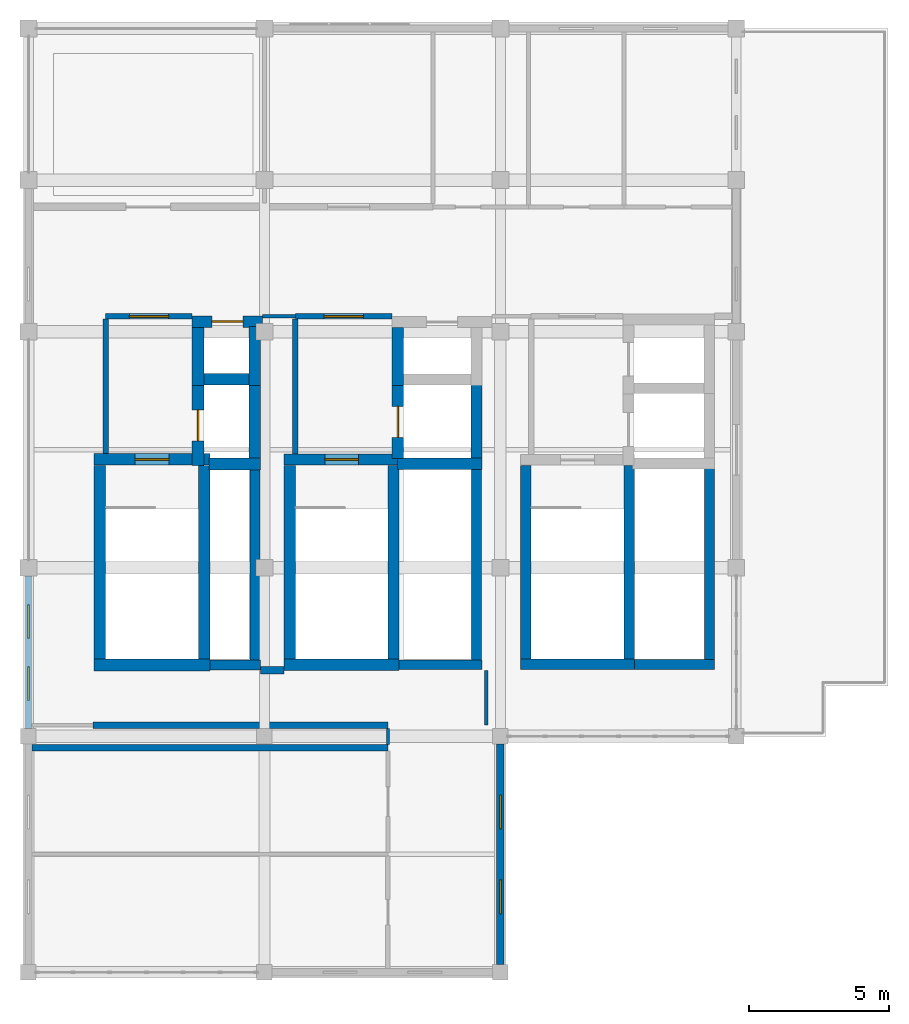
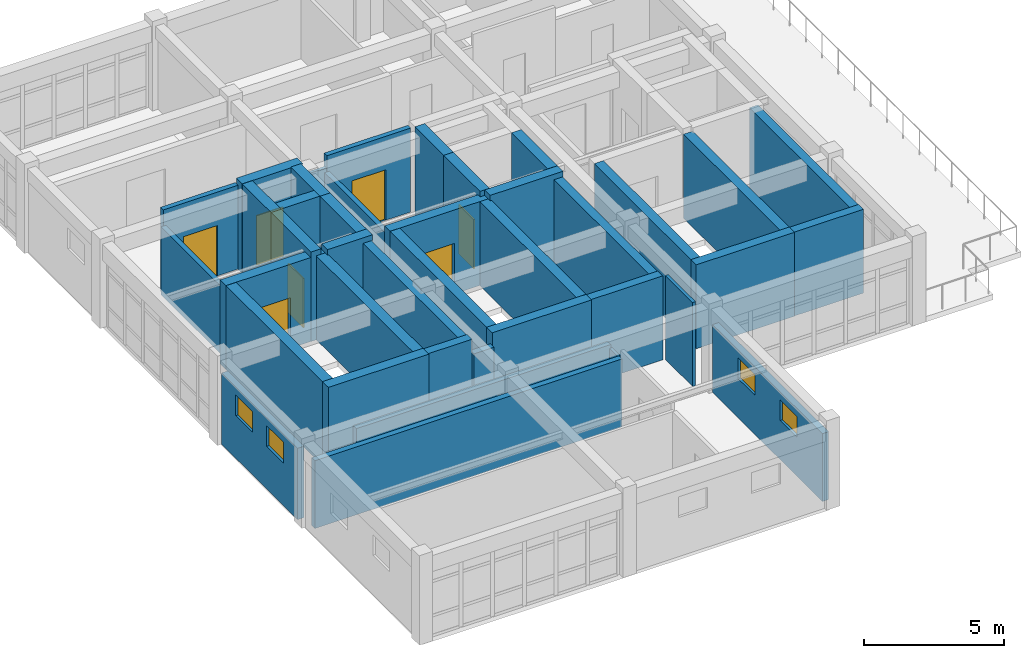
# One storey, part 14 of 17: 40 walls, 7 doors, 4 windows, 11 openings.
"""IFC4 building model written with IfcOpenShell, lengths in metres."""

from ifc_helpers import new_model, si_unit, direction, frame, frame_2d, origin, place, context, subcontext, project, spatial, rectangle, extrude, material, layer, layer_set, type_object, element, fill, save


model = new_model("IFC4")

# Units and contexts
model_context = context("Model", 3, precision=1e-05, world=origin(), true_north=direction((0.0, 1.0)))
body_context = subcontext(model_context, "Body", "Model", "MODEL_VIEW")
ifc_project = project(units=[si_unit("LENGTHUNIT", "METRE"), si_unit("AREAUNIT", "SQUARE_METRE"), si_unit("VOLUMEUNIT", "CUBIC_METRE"), si_unit("PLANEANGLEUNIT", "RADIAN"), si_unit("MASSUNIT", "GRAM", prefix="KILO")], contexts=[model_context])

# Site, building, storey
site_placement = place(None, origin())
site = spatial("IfcSite", under=ifc_project, at=site_placement, CompositionType="ELEMENT")
building_placement = place(site_placement, origin())
building = spatial("IfcBuilding", under=site, at=building_placement, Name="Krzemoval Escarpment Law Courts", CompositionType="ELEMENT")
storey_placement = place(building_placement, frame((0.0, 0.0, 42.0)))
storey = spatial("IfcBuildingStorey", under=building, at=storey_placement, Name="L09", CompositionType="ELEMENT", Elevation=42.0)

# Wall, openings, windows
ifc_material_1 = material(Name="Precast concrete C40/50", Category="concrete")
ifc_layer_1 = layer(ifc_material_1, 0.260009765625)
ifc_layer_set_1 = layer_set([ifc_layer_1], Name="Precast concrete C40/50")
wall_type_1 = type_object("IfcWallType", Name="WL-EXT-260", PredefinedType="SOLIDWALL", material=ifc_layer_set_1)
wall_1_placement = place(storey_placement, frame((126.0, 93.875, 0.0), z_axis=(0.0, 0.0, 1.0), x_axis=(0.0, 1.0, 0.0)))
wall_1 = element("IfcWall", 1, at=wall_1_placement, inside=storey, type_object=wall_type_1, Name="Exterior Wall EW-L09-0480", PredefinedType="SOLIDWALL", context=body_context, shape_type="SweptSolid", body=[
    extrude(rectangle(XDim=5.425048828125, YDim=0.260009765625, at=frame_2d((2.71240234375, 0.0))), origin(), (0.0, 0.0, 1.0), 3.110107421875),
])
opening_1_placement = place(wall_1_placement, frame((1.008056640625, 0.0, 1.860107421875)))
opening_1 = element("IfcOpeningElement", 2, at=opening_1_placement, cuts=wall_1, Name="Opening WN-L09-0564", PredefinedType="OPENING", context=body_context, shape_type="SweptSolid", body=[
    extrude(rectangle(XDim=1.199951171875, YDim=0.89990234375, at=frame_2d((0.60009765625, 0.449951171875))), frame((0.0, 0.145, 0.0), z_axis=(0.0, -1.0, 0.0), x_axis=(1.0, 0.0, 0.0)), (0.0, 0.0, 1.0), 0.29001),
])
opening_2_placement = place(wall_1_placement, frame((3.217041015625, 0.0, 1.860107421875)))
opening_2 = element("IfcOpeningElement", 3, at=opening_2_placement, cuts=wall_1, Name="Opening WN-L09-0565", PredefinedType="OPENING", context=body_context, shape_type="SweptSolid", body=[
    extrude(rectangle(XDim=1.199951171875, YDim=0.89990234375, at=frame_2d((0.60009765625, 0.449951171875))), frame((0.0, 0.145, 0.0), z_axis=(0.0, -1.0, 0.0), x_axis=(1.0, 0.0, 0.0)), (0.0, 0.0, 1.0), 0.29001),
])
ifc_material_2 = material(Name="Thermally Broken Aluminium Frame with Triple Low-E Acoustic Glass", Category="aluminium")
window_type = type_object("IfcWindowType", Name="WN-1200x900", PartitioningType="SINGLE_PANEL", PredefinedType="WINDOW", material=ifc_material_2)
window_1_placement = place(opening_1_placement, origin())
window_1 = element("IfcWindow", 4, at=window_1_placement, inside=storey, type_object=window_type, Name="Facade Window WN-L09-0564", OverallHeight=0.89990234375, OverallWidth=1.199951171875, PartitioningType="SINGLE_PANEL", PredefinedType="WINDOW", context=body_context, shape_type="SweptSolid", body=[
    extrude(rectangle(XDim=1.199951171875, YDim=0.89990234375, at=frame_2d((0.60009765625, 0.449951171875))), frame((0.0, 0.030029296875, 0.0), z_axis=(0.0, -1.0, 0.0), x_axis=(1.0, 0.0, 0.0)), (0.0, 0.0, 1.0), 0.06005859375),
])
fill(opening_1, window_1)
window_2_placement = place(opening_2_placement, origin())
window_2 = element("IfcWindow", 5, at=window_2_placement, inside=storey, type_object=window_type, Name="Facade Window WN-L09-0565", OverallHeight=0.89990234375, OverallWidth=1.199951171875, PartitioningType="SINGLE_PANEL", PredefinedType="WINDOW", context=body_context, shape_type="SweptSolid", body=[
    extrude(rectangle(XDim=1.199951171875, YDim=0.89990234375, at=frame_2d((0.60009765625, 0.449951171875))), frame((0.0, 0.030029296875, 0.0), z_axis=(0.0, -1.0, 0.0), x_axis=(1.0, 0.0, 0.0)), (0.0, 0.0, 1.0), 0.06005859375),
])
fill(opening_2, window_2)

wall_2_placement = place(storey_placement, frame((142.800048828125, 93.324951171875, 0.0), z_axis=(0.0, 0.0, 1.0), x_axis=(0.0, -1.0, 0.0)))
wall_2 = element("IfcWall", 6, at=wall_2_placement, inside=storey, type_object=wall_type_1, Name="Exterior Wall EW-L09-0487", PredefinedType="SOLIDWALL", context=body_context, shape_type="SweptSolid", body=[
    extrude(rectangle(XDim=7.849853515625, YDim=0.260009765625, at=frame_2d((3.9248046875, 0.0))), origin(), (0.0, 0.0, 1.0), 2.9599609375),
])
opening_3_placement = place(wall_2_placement, frame((1.81689453125, 0.0, 1.7099609375)))
opening_3 = element("IfcOpeningElement", 7, at=opening_3_placement, cuts=wall_2, Name="Opening WN-L09-0572", PredefinedType="OPENING", context=body_context, shape_type="SweptSolid", body=[
    extrude(rectangle(XDim=1.199951171875, YDim=0.89990234375, at=frame_2d((0.60009765625, 0.449951171875))), frame((0.0, 0.145, 0.0), z_axis=(0.0, -1.0, 0.0), x_axis=(1.0, 0.0, 0.0)), (0.0, 0.0, 1.0), 0.29001),
])
opening_4_placement = place(wall_2_placement, frame((4.8330078125, 0.0, 1.7099609375)))
opening_4 = element("IfcOpeningElement", 8, at=opening_4_placement, cuts=wall_2, Name="Opening WN-L09-0573", PredefinedType="OPENING", context=body_context, shape_type="SweptSolid", body=[
    extrude(rectangle(XDim=1.199951171875, YDim=0.89990234375, at=frame_2d((0.60009765625, 0.449951171875))), frame((0.0, 0.145, 0.0), z_axis=(0.0, -1.0, 0.0), x_axis=(1.0, 0.0, 0.0)), (0.0, 0.0, 1.0), 0.29001),
])
window_3_placement = place(opening_3_placement, origin())
window_3 = element("IfcWindow", 9, at=window_3_placement, inside=storey, type_object=window_type, Name="Facade Window WN-L09-0572", OverallHeight=0.89990234375, OverallWidth=1.199951171875, PartitioningType="SINGLE_PANEL", PredefinedType="WINDOW", context=body_context, shape_type="SweptSolid", body=[
    extrude(rectangle(XDim=1.199951171875, YDim=0.89990234375, at=frame_2d((0.60009765625, 0.449951171875))), frame((0.0, 0.030029296875, 0.0), z_axis=(0.0, -1.0, 0.0), x_axis=(1.0, 0.0, 0.0)), (0.0, 0.0, 1.0), 0.06005859375),
])
fill(opening_3, window_3)
window_4_placement = place(opening_4_placement, origin())
window_4 = element("IfcWindow", 10, at=window_4_placement, inside=storey, type_object=window_type, Name="Facade Window WN-L09-0573", OverallHeight=0.89990234375, OverallWidth=1.199951171875, PartitioningType="SINGLE_PANEL", PredefinedType="WINDOW", context=body_context, shape_type="SweptSolid", body=[
    extrude(rectangle(XDim=1.199951171875, YDim=0.89990234375, at=frame_2d((0.60009765625, 0.449951171875))), frame((0.0, 0.030029296875, 0.0), z_axis=(0.0, -1.0, 0.0), x_axis=(1.0, 0.0, 0.0)), (0.0, 0.0, 1.0), 0.06005859375),
])
fill(opening_4, window_4)

# Walls
ifc_material_3 = material(Name="Light Internal Subdivision Partition", Category="gypsum")
ifc_layer_2 = layer(ifc_material_3, 0.114990234375)
ifc_layer_set_2 = layer_set([ifc_layer_2], Name="Light Internal Subdivision Partition")
wall_type_2 = type_object("IfcWallType", Name="WL-PRT-115", PredefinedType="PARTITIONING", material=ifc_layer_set_2)
wall_3_placement = place(storey_placement, frame((138.800048828125, 93.31689453125, 0.0), z_axis=(0.0, 0.0, 1.0), x_axis=(0.0, 1.0, 0.0)))
element("IfcWall", 11, at=wall_3_placement, inside=storey, type_object=wall_type_2, Name="Interior Partition PW-L09-0762", PredefinedType="PARTITIONING", context=body_context, shape_type="SweptSolid", body=[
    extrude(rectangle(XDim=0.566162109375, YDim=0.114990234375, at=frame_2d((0.283203125, 0.0))), origin(), (0.0, 0.0, 1.0), 2.9599609375),
])
ifc_material_4 = material(Name="Standard Metal-Stud Gypsum Partition", Category="gypsum")
ifc_layer_3 = layer(ifc_material_4, 0.125)
ifc_layer_set_3 = layer_set([ifc_layer_3], Name="Standard Metal-Stud Gypsum Partition")
wall_type_3 = type_object("IfcWallType", Name="WL-PRT-125", PredefinedType="PARTITIONING", material=ifc_layer_set_3)
wall_4_placement = place(storey_placement, frame((134.3349609375, 108.550048828125, 0.0), z_axis=(0.0, 0.0, 1.0), x_axis=(1.0, 0.0, 0.0)))
element("IfcWall", 12, at=wall_4_placement, inside=storey, type_object=wall_type_3, Name="Interior Partition PW-L09-0749", PredefinedType="PARTITIONING", context=body_context, shape_type="SweptSolid", body=[
    extrude(rectangle(XDim=1.1650390625, YDim=0.125, at=frame_2d((0.58251953125, 0.0))), origin(), (0.0, 0.0, 1.0), 3.110107421875),
])
wall_5_placement = place(storey_placement, frame((142.300048828125, 94.0, 0.0), z_axis=(0.0, 0.0, 1.0), x_axis=(0.0, 1.0, 0.0)))
element("IfcWall", 13, at=wall_5_placement, inside=storey, type_object=wall_type_3, Name="Interior Partition PW-L09-0764", PredefinedType="PARTITIONING", context=body_context, shape_type="SweptSolid", body=[
    extrude(rectangle(XDim=1.949951171875, YDim=0.125, at=frame_2d((0.97509765625, 0.0))), origin(), (0.0, 0.0, 1.0), 3.659912109375),
])

# Wall, opening, door
ifc_material_5 = material(Name="Fire-Rated Corridor Partition Wall", Category="gypsum")
ifc_layer_4 = layer(ifc_material_5, 0.199951171875)
ifc_layer_set_4 = layer_set([ifc_layer_4], Name="Fire-Rated Corridor Partition Wall")
wall_type_4 = type_object("IfcWallType", Name="WL-PRT-200", PredefinedType="PARTITIONING", material=ifc_layer_set_4)
wall_6_placement = place(storey_placement, frame((128.75, 108.550048828125, 0.0), z_axis=(0.0, 0.0, 1.0), x_axis=(1.0, 0.0, 0.0)))
wall_6 = element("IfcWall", 14, at=wall_6_placement, inside=storey, type_object=wall_type_4, Name="Interior Partition PW-L09-0746", PredefinedType="PARTITIONING", context=body_context, shape_type="SweptSolid", body=[
    extrude(rectangle(XDim=3.080078125, YDim=0.199951171875, at=frame_2d((1.5400390625, 0.0))), origin(), (0.0, 0.0, 1.0), 3.659912109375),
])
opening_5_placement = place(wall_6_placement, frame((0.840087890625, 0.0, 0.0)))
opening_5 = element("IfcOpeningElement", 15, at=opening_5_placement, cuts=wall_6, Name="Opening D-L09-0261", PredefinedType="OPENING", context=body_context, shape_type="SweptSolid", body=[
    extrude(rectangle(XDim=1.39990234375, YDim=2.199951171875, at=frame_2d((0.699951171875, 1.10009765625))), frame((0.0, 0.11498, 0.0), z_axis=(0.0, -1.0, 0.0), x_axis=(1.0, 0.0, 0.0)), (0.0, 0.0, 1.0), 0.22995),
])
ifc_material_6 = material(Name="Galvanised Steel S355", Category="steel")
door_type_1 = type_object("IfcDoorType", Name="DR-FFL-1400x2200", OperationType="SINGLE_SWING_LEFT", PredefinedType="DOOR", material=ifc_material_6)
door_1_placement = place(opening_5_placement, origin())
door_1 = element("IfcDoor", 16, at=door_1_placement, inside=storey, type_object=door_type_1, Name="Room Door D-L09-0261", OperationType="SINGLE_SWING_LEFT", OverallHeight=2.199951171875, OverallWidth=1.39990234375, PredefinedType="DOOR", context=body_context, shape_type="SweptSolid", body=[
    extrude(rectangle(XDim=1.39990234375, YDim=2.199951171875, at=frame_2d((0.699951171875, 1.10009765625))), frame((0.0, 0.02490234375, 0.0), z_axis=(0.0, -1.0, 0.0), x_axis=(1.0, 0.0, 0.0)), (0.0, 0.0, 1.0), 0.050048828125),
])
fill(opening_5, door_1)

wall_7_placement = place(storey_placement, frame((135.5, 108.550048828125, 0.0), z_axis=(0.0, 0.0, 1.0), x_axis=(1.0, 0.0, 0.0)))
wall_7 = element("IfcWall", 17, at=wall_7_placement, inside=storey, type_object=wall_type_4, Name="Interior Partition PW-L09-0747", PredefinedType="PARTITIONING", context=body_context, shape_type="SweptSolid", body=[
    extrude(rectangle(XDim=3.449951171875, YDim=0.199951171875, at=frame_2d((1.72509765625, 0.0))), origin(), (0.0, 0.0, 1.0), 3.659912109375),
])
opening_6_placement = place(wall_7_placement, frame((1.02490234375, 0.0, 0.0)))
opening_6 = element("IfcOpeningElement", 18, at=opening_6_placement, cuts=wall_7, Name="Opening D-L09-0262", PredefinedType="OPENING", context=body_context, shape_type="SweptSolid", body=[
    extrude(rectangle(XDim=1.39990234375, YDim=2.199951171875, at=frame_2d((0.699951171875, 1.10009765625))), frame((0.0, 0.11498, 0.0), z_axis=(0.0, -1.0, 0.0), x_axis=(1.0, 0.0, 0.0)), (0.0, 0.0, 1.0), 0.22995),
])
door_2_placement = place(opening_6_placement, origin())
door_2 = element("IfcDoor", 19, at=door_2_placement, inside=storey, type_object=door_type_1, Name="Room Door D-L09-0262", OperationType="SINGLE_SWING_LEFT", OverallHeight=2.199951171875, OverallWidth=1.39990234375, PredefinedType="DOOR", context=body_context, shape_type="SweptSolid", body=[
    extrude(rectangle(XDim=1.39990234375, YDim=2.199951171875, at=frame_2d((0.699951171875, 1.10009765625))), frame((0.0, 0.02490234375, 0.0), z_axis=(0.0, -1.0, 0.0), x_axis=(1.0, 0.0, 0.0)), (0.0, 0.0, 1.0), 0.050048828125),
])
fill(opening_6, door_2)

# Walls
wall_8_placement = place(storey_placement, frame((128.75, 103.672119140625, 0.0), z_axis=(0.0, 0.0, 1.0), x_axis=(0.0, 1.0, 0.0)))
element("IfcWall", 20, at=wall_8_placement, inside=storey, type_object=wall_type_4, Name="Interior Partition PW-L09-0757", PredefinedType="PARTITIONING", context=body_context, shape_type="SweptSolid", body=[
    extrude(rectangle(XDim=4.77587890625, YDim=0.199951171875, at=frame_2d((2.387939453125, 0.0))), origin(), (0.0, 0.0, 1.0), 2.9599609375),
])
wall_9_placement = place(storey_placement, frame((135.5, 103.652099609375, 0.0), z_axis=(0.0, 0.0, 1.0), x_axis=(0.0, 1.0, 0.0)))
element("IfcWall", 21, at=wall_9_placement, inside=storey, type_object=wall_type_4, Name="Interior Partition PW-L09-0759", PredefinedType="PARTITIONING", context=body_context, shape_type="SweptSolid", body=[
    extrude(rectangle(XDim=4.7958984375, YDim=0.199951171875, at=frame_2d((2.39794921875, 0.0))), origin(), (0.0, 0.0, 1.0), 2.9599609375),
])
ifc_material_7 = material(Name="Acoustic Calcium-Silicate Block Wall", Category="masonry")
ifc_layer_5 = layer(ifc_material_7, 0.22998046875)
ifc_layer_set_5 = layer_set([ifc_layer_5], Name="Acoustic Calcium-Silicate Block Wall")
wall_type_5 = type_object("IfcWallType", Name="WL-PRT-230", PredefinedType="SOLIDWALL", material=ifc_layer_set_5)
wall_10_placement = place(storey_placement, frame((126.132080078125, 93.199951171875, 0.0), z_axis=(0.0, 0.0, 1.0), x_axis=(1.0, 0.0, 0.0)))
element("IfcWall", 22, at=wall_10_placement, inside=storey, type_object=wall_type_5, Name="Interior Partition PW-L09-0742", PredefinedType="SOLIDWALL", context=body_context, shape_type="SweptSolid", body=[
    extrude(rectangle(XDim=12.66796875, YDim=0.22998046875, at=frame_2d((6.333984375, 0.0))), origin(), (0.0, 0.0, 1.0), 2.9599609375),
])
wall_11_placement = place(storey_placement, frame((128.300048828125, 94.0, 0.0), z_axis=(0.0, 0.0, 1.0), x_axis=(1.0, 0.0, 0.0)))
element("IfcWall", 23, at=wall_11_placement, inside=storey, type_object=wall_type_5, Name="Interior Partition PW-L09-0744", PredefinedType="SOLIDWALL", context=body_context, shape_type="SweptSolid", body=[
    extrude(rectangle(XDim=10.5, YDim=0.22998046875, at=frame_2d((5.25, 0.0))), origin(), (0.0, 0.0, 1.0), 3.110107421875),
])
ifc_material_8 = material(Name="Acoustic Double-Stud Gypsum and Mineral Wool Wall", Category="gypsum")
ifc_layer_6 = layer(ifc_material_8, 0.260009765625)
ifc_layer_set_6 = layer_set([ifc_layer_6], Name="Acoustic Double-Stud Gypsum and Mineral Wool Wall")
wall_type_6 = type_object("IfcWallType", Name="WL-PRT-260", PredefinedType="PARTITIONING", material=ifc_layer_set_6)
wall_12_placement = place(storey_placement, frame((134.27001953125, 95.949951171875, 0.0), z_axis=(0.0, 0.0, 1.0), x_axis=(1.0, 0.0, 0.0)))
element("IfcWall", 24, at=wall_12_placement, inside=storey, type_object=wall_type_6, Name="Interior Partition PW-L09-0745", PredefinedType="PARTITIONING", context=body_context, shape_type="SweptSolid", body=[
    extrude(rectangle(XDim=0.830078125, YDim=0.260009765625, at=frame_2d((0.4150390625, 0.0))), origin(), (0.0, 0.0, 1.0), 3.110107421875),
])
ifc_material_9 = material(Name="Concrete C40/50", Category="concrete")
ifc_layer_7 = layer(ifc_material_9, 0.35009765625)
ifc_layer_set_7 = layer_set([ifc_layer_7], Name="Concrete C40/50")
wall_type_7 = type_object("IfcWallType", Name="WL-SHW-350", PredefinedType="SHEAR", material=ifc_layer_set_7)
wall_13_placement = place(storey_placement, frame((132.469970703125, 96.139892578125, 0.0), z_axis=(0.0, 0.0, 1.0), x_axis=(1.0, 0.0, 0.0)))
element("IfcWall", 25, at=wall_13_placement, inside=storey, type_object=wall_type_7, Name="Riser Shaft Wall SW-L09-0142", PredefinedType="SHEAR", context=body_context, shape_type="SweptSolid", body=[
    extrude(rectangle(XDim=1.800048828125, YDim=0.35009765625, at=frame_2d((0.89990234375, 0.0))), origin(), (0.0, 0.0, 1.0), 3.659912109375),
])
wall_14_placement = place(storey_placement, frame((134.06005859375, 96.31005859375, 0.0), z_axis=(0.0, 0.0, 1.0), x_axis=(0.0, 1.0, 0.0)))
element("IfcWall", 26, at=wall_14_placement, inside=storey, type_object=wall_type_7, Name="Riser Shaft Wall SW-L09-0143", PredefinedType="SHEAR", context=body_context, shape_type="SweptSolid", body=[
    extrude(rectangle(XDim=7.197021484375, YDim=0.35009765625, at=frame_2d((3.5986328125, 0.0))), origin(), (0.0, 0.0, 1.0), 3.659912109375),
])
wall_15_placement = place(storey_placement, frame((139.199951171875, 96.14990234375, 0.0), z_axis=(0.0, 0.0, 1.0), x_axis=(1.0, 0.0, 0.0)))
element("IfcWall", 27, at=wall_15_placement, inside=storey, type_object=wall_type_7, Name="Riser Shaft Wall SW-L09-0292", PredefinedType="SHEAR", context=body_context, shape_type="SweptSolid", body=[
    extrude(rectangle(XDim=2.949951171875, YDim=0.35009765625, at=frame_2d((1.47509765625, 0.0))), origin(), (0.0, 0.0, 1.0), 3.659912109375),
])
wall_16_placement = place(storey_placement, frame((141.949951171875, 96.320068359375, 0.0), z_axis=(0.0, 0.0, 1.0), x_axis=(0.0, 1.0, 0.0)))
element("IfcWall", 28, at=wall_16_placement, inside=storey, type_object=wall_type_7, Name="Riser Shaft Wall SW-L09-0293", PredefinedType="SHEAR", context=body_context, shape_type="SweptSolid", body=[
    extrude(rectangle(XDim=7.18701171875, YDim=0.35009765625, at=frame_2d((3.593505859375, 0.0))), origin(), (0.0, 0.0, 1.0), 3.659912109375),
])
wall_17_placement = place(storey_placement, frame((147.580078125, 96.159912109375, 0.0), z_axis=(0.0, 0.0, 1.0), x_axis=(1.0, 0.0, 0.0)))
element("IfcWall", 29, at=wall_17_placement, inside=storey, type_object=wall_type_7, Name="Riser Shaft Wall SW-L09-0442", PredefinedType="SHEAR", context=body_context, shape_type="SweptSolid", body=[
    extrude(rectangle(XDim=2.849853515625, YDim=0.35009765625, at=frame_2d((1.4248046875, 0.0))), origin(), (0.0, 0.0, 1.0), 3.659912109375),
])
wall_18_placement = place(storey_placement, frame((150.239990234375, 96.330078125, 0.0), z_axis=(0.0, 0.0, 1.0), x_axis=(0.0, 1.0, 0.0)))
element("IfcWall", 30, at=wall_18_placement, inside=storey, type_object=wall_type_7, Name="Riser Shaft Wall SW-L09-0443", PredefinedType="SHEAR", context=body_context, shape_type="SweptSolid", body=[
    extrude(rectangle(XDim=7.177001953125, YDim=0.35009765625, at=frame_2d((3.58837890625, 0.0))), origin(), (0.0, 0.0, 1.0), 3.659912109375),
])
ifc_material_10 = material(Name="Concrete C40/50", Category="concrete")
ifc_layer_8 = layer(ifc_material_10, 0.3798828125)
ifc_layer_set_8 = layer_set([ifc_layer_8], Name="Concrete C40/50")
wall_type_8 = type_object("IfcWallType", Name="WL-SHW-380", PredefinedType="SHEAR", material=ifc_layer_set_8)
wall_19_placement = place(storey_placement, frame((143.52001953125, 96.159912109375, 0.0), z_axis=(0.0, 0.0, 1.0), x_axis=(1.0, 0.0, 0.0)))
element("IfcWall", 31, at=wall_19_placement, inside=storey, type_object=wall_type_8, Name="Core Stair Shear Wall SW-L09-0432", PredefinedType="SHEAR", context=body_context, shape_type="SweptSolid", body=[
    extrude(rectangle(XDim=4.06005859375, YDim=0.3798828125, at=frame_2d((2.030029296875, 0.0))), origin(), (0.0, 0.0, 1.0), 3.659912109375),
])
for number, where, z_axis, x_axis, name in (
    (32, (143.7099609375, 96.35205078125, 0.0), (0.0, 0.0, 1.0), (0.0, 1.0, 0.0), "Core Stair Shear Wall SW-L09-0433"),
    (33, (147.389892578125, 96.35205078125, 0.0), (0.0, 0.0, 1.0), (0.0, 1.0, 0.0), "Core Stair Shear Wall SW-L09-0434"),
):
    element("IfcWall", number, at=place(storey_placement, frame(where, z_axis=z_axis, x_axis=x_axis)), inside=storey, type_object=wall_type_8, Name=name, PredefinedType="SHEAR", context=body_context, shape_type="SweptSolid", body=[
        extrude(rectangle(XDim=6.89599609375, YDim=0.3798828125, at=frame_2d((3.447998046875, 0.0))), origin(), (0.0, 0.0, 1.0), 3.659912109375),
    ])

# Wall, opening, door
ifc_material_11 = material(Name="Concrete C40/50", Category="concrete")
ifc_layer_9 = layer(ifc_material_11, 0.39990234375)
ifc_layer_set_9 = layer_set([ifc_layer_9], Name="Concrete C40/50")
wall_type_9 = type_object("IfcWallType", Name="WL-SHW-400", PredefinedType="SHEAR", material=ifc_layer_set_9)
wall_20_placement = place(storey_placement, frame((135.10009765625, 103.449951171875, 0.0), z_axis=(0.0, 0.0, 1.0), x_axis=(1.0, 0.0, 0.0)))
wall_20 = element("IfcWall", 34, at=wall_20_placement, inside=storey, type_object=wall_type_9, Name="Core Stair Shear Wall SW-L09-0281", PredefinedType="SHEAR", context=body_context, shape_type="SweptSolid", body=[
    extrude(rectangle(XDim=4.099853515625, YDim=0.39990234375, at=frame_2d((2.0498046875, 0.0))), origin(), (0.0, 0.0, 1.0), 3.659912109375),
])
opening_7_placement = place(wall_20_placement, frame((1.449951171875, 0.0, 0.0)))
opening_7 = element("IfcOpeningElement", 35, at=opening_7_placement, cuts=wall_20, Name="Opening SD-ST2-L09", PredefinedType="OPENING", context=body_context, shape_type="SweptSolid", body=[
    extrude(rectangle(XDim=1.199951171875, YDim=2.199951171875, at=frame_2d((0.60009765625, 1.10009765625))), frame((0.0, 0.21495, 0.0), z_axis=(0.0, -1.0, 0.0), x_axis=(1.0, 0.0, 0.0)), (0.0, 0.0, 1.0), 0.4299),
])
ifc_material_12 = material(Name="Galvanised Steel S355", Category="steel")
door_type_2 = type_object("IfcDoorType", Name="DR-STR-1200x2200", OperationType="SINGLE_SWING_LEFT", PredefinedType="DOOR", material=ifc_material_12)
door_3_placement = place(opening_7_placement, origin())
door_3 = element("IfcDoor", 36, at=door_3_placement, inside=storey, type_object=door_type_2, Name="Stair Exit Door SD-ST2-L09", OperationType="SINGLE_SWING_LEFT", OverallHeight=2.199951171875, OverallWidth=1.199951171875, PredefinedType="DOOR", context=body_context, shape_type="SweptSolid", body=[
    extrude(rectangle(XDim=1.199951171875, YDim=2.199951171875, at=frame_2d((0.60009765625, 1.10009765625))), frame((0.0, 0.02490234375, 0.0), z_axis=(0.0, -1.0, 0.0), x_axis=(1.0, 0.0, 0.0)), (0.0, 0.0, 1.0), 0.050048828125),
])
fill(opening_7, door_3)

# Walls
wall_21_placement = place(storey_placement, frame((135.10009765625, 96.14990234375, 0.0), z_axis=(0.0, 0.0, 1.0), x_axis=(1.0, 0.0, 0.0)))
element("IfcWall", 37, at=wall_21_placement, inside=storey, type_object=wall_type_9, Name="Core Stair Shear Wall SW-L09-0282", PredefinedType="SHEAR", context=body_context, shape_type="SweptSolid", body=[
    extrude(rectangle(XDim=4.099853515625, YDim=0.39990234375, at=frame_2d((2.0498046875, 0.0))), origin(), (0.0, 0.0, 1.0), 3.659912109375),
])
for number, where, z_axis, x_axis, name in (
    (38, (135.300048828125, 96.35205078125, 0.0), (0.0, 0.0, 1.0), (0.0, 1.0, 0.0), "Core Stair Shear Wall SW-L09-0283"),
    (39, (139.0, 96.35205078125, 0.0), (0.0, 0.0, 1.0), (0.0, 1.0, 0.0), "Core Stair Shear Wall SW-L09-0284"),
):
    element("IfcWall", number, at=place(storey_placement, frame(where, z_axis=z_axis, x_axis=x_axis)), inside=storey, type_object=wall_type_9, Name=name, PredefinedType="SHEAR", context=body_context, shape_type="SweptSolid", body=[
        extrude(rectangle(XDim=6.89599609375, YDim=0.39990234375, at=frame_2d((3.447998046875, 0.0))), origin(), (0.0, 0.0, 1.0), 3.659912109375),
    ])
wall_22_placement = place(storey_placement, frame((139.14306640625, 103.300048828125, 0.0), z_axis=(0.0, 0.0, 1.0), x_axis=(1.0, 0.0, 0.0)))
element("IfcWall", 40, at=wall_22_placement, inside=storey, type_object=wall_type_9, Name="Lift Shaft Shear Wall SW-L09-0285", PredefinedType="SHEAR", context=body_context, shape_type="SweptSolid", body=[
    extrude(rectangle(XDim=3.0068359375, YDim=0.39990234375, at=frame_2d((1.50341796875, 0.0))), origin(), (0.0, 0.0, 1.0), 3.89990234375),
])

# Wall, opening, door
wall_23_placement = place(storey_placement, frame((139.14990234375, 103.4951171875, 0.0), z_axis=(0.0, 0.0, 1.0), x_axis=(0.0, 1.0, 0.0)))
wall_23 = element("IfcWall", 41, at=wall_23_placement, inside=storey, type_object=wall_type_9, Name="Lift Shaft Shear Wall SW-L09-0287", PredefinedType="SHEAR", context=body_context, shape_type="SweptSolid", body=[
    extrude(rectangle(XDim=2.602783203125, YDim=0.39990234375, at=frame_2d((1.30126953125, 0.0))), origin(), (0.0, 0.0, 1.0), 3.89990234375),
])
opening_8_placement = place(wall_23_placement, frame((0.7509765625, 0.0, 0.0)))
opening_8 = element("IfcOpeningElement", 42, at=opening_8_placement, cuts=wall_23, Name="Opening LD-FL2-L09", PredefinedType="OPENING", context=body_context, shape_type="SweptSolid", body=[
    extrude(rectangle(XDim=1.10009765625, YDim=2.14990234375, at=frame_2d((0.550048828125, 1.074951171875))), frame((0.0, 0.21495, 0.0), z_axis=(0.0, -1.0, 0.0), x_axis=(1.0, 0.0, 0.0)), (0.0, 0.0, 1.0), 0.4299),
])
ifc_material_13 = material(Name="Stainless Steel Grade 304", Category="steel")
door_type_3 = type_object("IfcDoorType", Name="DR-LFT-1100x2150", OperationType="SINGLE_SWING_LEFT", PredefinedType="DOOR", material=ifc_material_13)
door_4_placement = place(opening_8_placement, origin())
door_4 = element("IfcDoor", 43, at=door_4_placement, inside=storey, type_object=door_type_3, Name="Lift Landing Door LD-FL2-L09", OperationType="DOUBLE_DOOR_SLIDING", OverallHeight=2.14990234375, OverallWidth=1.10009765625, PredefinedType="DOOR", context=body_context, shape_type="SweptSolid", body=[
    extrude(rectangle(XDim=1.10009765625, YDim=2.14990234375, at=frame_2d((0.550048828125, 1.074951171875))), frame((0.0, 0.02490234375, 0.0), z_axis=(0.0, -1.0, 0.0), x_axis=(1.0, 0.0, 0.0)), (0.0, 0.0, 1.0), 0.050048828125),
])
fill(opening_8, door_4)

# Walls
wall_24_placement = place(storey_placement, frame((141.949951171875, 103.501953125, 0.0), z_axis=(0.0, 0.0, 1.0), x_axis=(0.0, 1.0, 0.0)))
element("IfcWall", 44, at=wall_24_placement, inside=storey, type_object=wall_type_9, Name="Lift Shaft Shear Wall SW-L09-0288", PredefinedType="SHEAR", context=body_context, shape_type="SweptSolid", body=[
    extrude(rectangle(XDim=2.595947265625, YDim=0.39990234375, at=frame_2d((1.2978515625, 0.0))), origin(), (0.0, 0.0, 1.0), 3.89990234375),
])
wall_25_placement = place(storey_placement, frame((139.14990234375, 106.093017578125, 0.0), z_axis=(0.0, 0.0, 1.0), x_axis=(0.0, 1.0, 0.0)))
element("IfcWall", 45, at=wall_25_placement, inside=storey, type_object=wall_type_9, Name="Lift Shaft Shear Wall SW-L09-0290", PredefinedType="SHEAR", context=body_context, shape_type="SweptSolid", body=[
    extrude(rectangle(XDim=2.054931640625, YDim=0.39990234375, at=frame_2d((1.02734375, 0.0))), origin(), (0.0, 0.0, 1.0), 3.89990234375),
])

# Wall, opening, door
ifc_material_14 = material(Name="Concrete C40/50", Category="concrete")
ifc_layer_10 = layer(ifc_material_14, 0.419921875)
ifc_layer_set_10 = layer_set([ifc_layer_10], Name="Concrete C40/50")
wall_type_10 = type_object("IfcWallType", Name="WL-SHW-420", PredefinedType="SHEAR", material=ifc_layer_set_10)
wall_26_placement = place(storey_placement, frame((128.330078125, 103.4599609375, 0.0), z_axis=(0.0, 0.0, 1.0), x_axis=(1.0, 0.0, 0.0)))
wall_26 = element("IfcWall", 46, at=wall_26_placement, inside=storey, type_object=wall_type_10, Name="Core Stair Shear Wall SW-L09-0131", PredefinedType="SHEAR", context=body_context, shape_type="SweptSolid", body=[
    extrude(rectangle(XDim=4.139892578125, YDim=0.419921875, at=frame_2d((2.06982421875, 0.0))), origin(), (0.0, 0.0, 1.0), 3.659912109375),
])
opening_9_placement = place(wall_26_placement, frame((1.469970703125, 0.0, 0.0)))
opening_9 = element("IfcOpeningElement", 47, at=opening_9_placement, cuts=wall_26, Name="Opening SD-ST1-L09", PredefinedType="OPENING", context=body_context, shape_type="SweptSolid", body=[
    extrude(rectangle(XDim=1.199951171875, YDim=2.199951171875, at=frame_2d((0.60009765625, 1.10009765625))), frame((0.0, 0.22496, 0.0), z_axis=(0.0, -1.0, 0.0), x_axis=(1.0, 0.0, 0.0)), (0.0, 0.0, 1.0), 0.44992),
])
door_5_placement = place(opening_9_placement, origin())
door_5 = element("IfcDoor", 48, at=door_5_placement, inside=storey, type_object=door_type_2, Name="Stair Exit Door SD-ST1-L09", OperationType="SINGLE_SWING_RIGHT", OverallHeight=2.199951171875, OverallWidth=1.199951171875, PredefinedType="DOOR", context=body_context, shape_type="SweptSolid", body=[
    extrude(rectangle(XDim=1.199951171875, YDim=2.199951171875, at=frame_2d((0.60009765625, 1.10009765625))), frame((0.0, 0.02490234375, 0.0), z_axis=(0.0, -1.0, 0.0), x_axis=(1.0, 0.0, 0.0)), (0.0, 0.0, 1.0), 0.050048828125),
])
fill(opening_9, door_5)

# Walls
wall_27_placement = place(storey_placement, frame((128.330078125, 96.139892578125, 0.0), z_axis=(0.0, 0.0, 1.0), x_axis=(1.0, 0.0, 0.0)))
element("IfcWall", 49, at=wall_27_placement, inside=storey, type_object=wall_type_10, Name="Core Stair Shear Wall SW-L09-0132", PredefinedType="SHEAR", context=body_context, shape_type="SweptSolid", body=[
    extrude(rectangle(XDim=4.139892578125, YDim=0.419921875, at=frame_2d((2.06982421875, 0.0))), origin(), (0.0, 0.0, 1.0), 3.659912109375),
])
for number, where, z_axis, x_axis, name in (
    (50, (128.5400390625, 96.35205078125, 0.0), (0.0, 0.0, 1.0), (0.0, 1.0, 0.0), "Core Stair Shear Wall SW-L09-0133"),
    (51, (132.260009765625, 96.35205078125, 0.0), (0.0, 0.0, 1.0), (0.0, 1.0, 0.0), "Core Stair Shear Wall SW-L09-0134"),
):
    element("IfcWall", number, at=place(storey_placement, frame(where, z_axis=z_axis, x_axis=x_axis)), inside=storey, type_object=wall_type_10, Name=name, PredefinedType="SHEAR", context=body_context, shape_type="SweptSolid", body=[
        extrude(rectangle(XDim=6.89599609375, YDim=0.419921875, at=frame_2d((3.447998046875, 0.0))), origin(), (0.0, 0.0, 1.0), 3.659912109375),
    ])
wall_28_placement = place(storey_placement, frame((132.423095703125, 103.2900390625, 0.0), z_axis=(0.0, 0.0, 1.0), x_axis=(1.0, 0.0, 0.0)))
element("IfcWall", 52, at=wall_28_placement, inside=storey, type_object=wall_type_10, Name="Lift Shaft Shear Wall SW-L09-0135", PredefinedType="SHEAR", context=body_context, shape_type="SweptSolid", body=[
    extrude(rectangle(XDim=1.846923828125, YDim=0.419921875, at=frame_2d((0.92333984375, 0.0))), origin(), (0.0, 0.0, 1.0), 3.89990234375),
])
wall_29_placement = place(storey_placement, frame((131.830078125, 106.31005859375, 0.0), z_axis=(0.0, 0.0, 1.0), x_axis=(1.0, 0.0, 0.0)))
element("IfcWall", 53, at=wall_29_placement, inside=storey, type_object=wall_type_10, Name="Lift Shaft Shear Wall SW-L09-0136", PredefinedType="SHEAR", context=body_context, shape_type="SweptSolid", body=[
    extrude(rectangle(XDim=2.43994140625, YDim=0.419921875, at=frame_2d((1.219970703125, 0.0))), origin(), (0.0, 0.0, 1.0), 3.89990234375),
])

# Wall, opening, door
wall_30_placement = place(storey_placement, frame((132.0400390625, 103.242919921875, 0.0), z_axis=(0.0, 0.0, 1.0), x_axis=(0.0, 1.0, 0.0)))
wall_30 = element("IfcWall", 54, at=wall_30_placement, inside=storey, type_object=wall_type_10, Name="Lift Shaft Shear Wall SW-L09-0137", PredefinedType="SHEAR", context=body_context, shape_type="SweptSolid", body=[
    extrude(rectangle(XDim=2.85498046875, YDim=0.419921875, at=frame_2d((1.427490234375, 0.0))), origin(), (0.0, 0.0, 1.0), 3.89990234375),
])
opening_10_placement = place(wall_30_placement, frame((0.8779296875, 0.0, 0.0)))
opening_10 = element("IfcOpeningElement", 55, at=opening_10_placement, cuts=wall_30, Name="Opening LD-FL1-L09", PredefinedType="OPENING", context=body_context, shape_type="SweptSolid", body=[
    extrude(rectangle(XDim=1.10009765625, YDim=2.14990234375, at=frame_2d((0.550048828125, 1.074951171875))), frame((0.0, 0.22496, 0.0), z_axis=(0.0, -1.0, 0.0), x_axis=(1.0, 0.0, 0.0)), (0.0, 0.0, 1.0), 0.44992),
])
door_6_placement = place(opening_10_placement, origin())
door_6 = element("IfcDoor", 56, at=door_6_placement, inside=storey, type_object=door_type_3, Name="Lift Landing Door LD-FL1-L09", OperationType="DOUBLE_DOOR_SLIDING", OverallHeight=2.14990234375, OverallWidth=1.10009765625, PredefinedType="DOOR", context=body_context, shape_type="SweptSolid", body=[
    extrude(rectangle(XDim=1.10009765625, YDim=2.14990234375, at=frame_2d((0.550048828125, 1.074951171875))), frame((0.0, 0.02490234375, 0.0), z_axis=(0.0, -1.0, 0.0), x_axis=(1.0, 0.0, 0.0)), (0.0, 0.0, 1.0), 0.050048828125),
])
fill(opening_10, door_6)

# Wall
wall_31_placement = place(storey_placement, frame((134.06005859375, 103.501953125, 0.0), z_axis=(0.0, 0.0, 1.0), x_axis=(0.0, 1.0, 0.0)))
element("IfcWall", 57, at=wall_31_placement, inside=storey, type_object=wall_type_10, Name="Lift Shaft Shear Wall SW-L09-0138", PredefinedType="SHEAR", context=body_context, shape_type="SweptSolid", body=[
    extrude(rectangle(XDim=2.595947265625, YDim=0.419921875, at=frame_2d((1.2978515625, 0.0))), origin(), (0.0, 0.0, 1.0), 3.89990234375),
])

# Wall, opening, door
wall_32_placement = place(storey_placement, frame((131.830078125, 108.360107421875, 0.0), z_axis=(0.0, 0.0, 1.0), x_axis=(1.0, 0.0, 0.0)))
wall_32 = element("IfcWall", 58, at=wall_32_placement, inside=storey, type_object=wall_type_10, Name="Lift Shaft Shear Wall SW-L09-0139", PredefinedType="SHEAR", context=body_context, shape_type="SweptSolid", body=[
    extrude(rectangle(XDim=2.5048828125, YDim=0.419921875, at=frame_2d((1.25244140625, 0.0))), origin(), (0.0, 0.0, 1.0), 3.89990234375),
])
opening_11_placement = place(wall_32_placement, frame((0.701904296875, 0.0, 0.0)))
opening_11 = element("IfcOpeningElement", 59, at=opening_11_placement, cuts=wall_32, Name="Opening LD-JL1-L09", PredefinedType="OPENING", context=body_context, shape_type="SweptSolid", body=[
    extrude(rectangle(XDim=1.10009765625, YDim=2.14990234375, at=frame_2d((0.550048828125, 1.074951171875))), frame((0.0, 0.22496, 0.0), z_axis=(0.0, -1.0, 0.0), x_axis=(1.0, 0.0, 0.0)), (0.0, 0.0, 1.0), 0.44992),
])
door_7_placement = place(opening_11_placement, origin())
door_7 = element("IfcDoor", 60, at=door_7_placement, inside=storey, type_object=door_type_3, Name="Lift Landing Door LD-JL1-L09", OperationType="DOUBLE_DOOR_SLIDING", OverallHeight=2.14990234375, OverallWidth=1.10009765625, PredefinedType="DOOR", context=body_context, shape_type="SweptSolid", body=[
    extrude(rectangle(XDim=1.10009765625, YDim=2.14990234375, at=frame_2d((0.550048828125, 1.074951171875))), frame((0.0, 0.02490234375, 0.0), z_axis=(0.0, -1.0, 0.0), x_axis=(1.0, 0.0, 0.0)), (0.0, 0.0, 1.0), 0.050048828125),
])
fill(opening_11, door_7)

# Walls
wall_33_placement = place(storey_placement, frame((132.0400390625, 106.093017578125, 0.0), z_axis=(0.0, 0.0, 1.0), x_axis=(0.0, 1.0, 0.0)))
element("IfcWall", 61, at=wall_33_placement, inside=storey, type_object=wall_type_10, Name="Lift Shaft Shear Wall SW-L09-0140", PredefinedType="SHEAR", context=body_context, shape_type="SweptSolid", body=[
    extrude(rectangle(XDim=2.054931640625, YDim=0.419921875, at=frame_2d((1.02734375, 0.0))), origin(), (0.0, 0.0, 1.0), 3.89990234375),
])
wall_34_placement = place(storey_placement, frame((134.06005859375, 106.093017578125, 0.0), z_axis=(0.0, 0.0, 1.0), x_axis=(0.0, 1.0, 0.0)))
element("IfcWall", 62, at=wall_34_placement, inside=storey, type_object=wall_type_10, Name="Lift Shaft Shear Wall SW-L09-0141", PredefinedType="SHEAR", context=body_context, shape_type="SweptSolid", body=[
    extrude(rectangle(XDim=2.10009765625, YDim=0.419921875, at=frame_2d((1.050048828125, 0.0))), origin(), (0.0, 0.0, 1.0), 3.89990234375),
])

save(model, "model.ifc")
